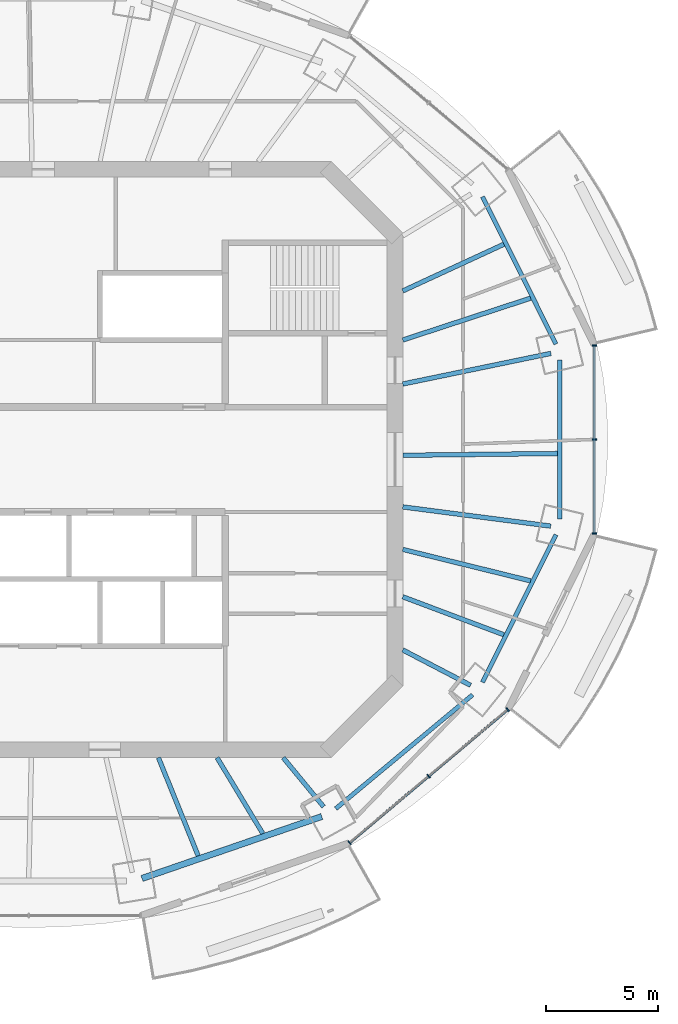
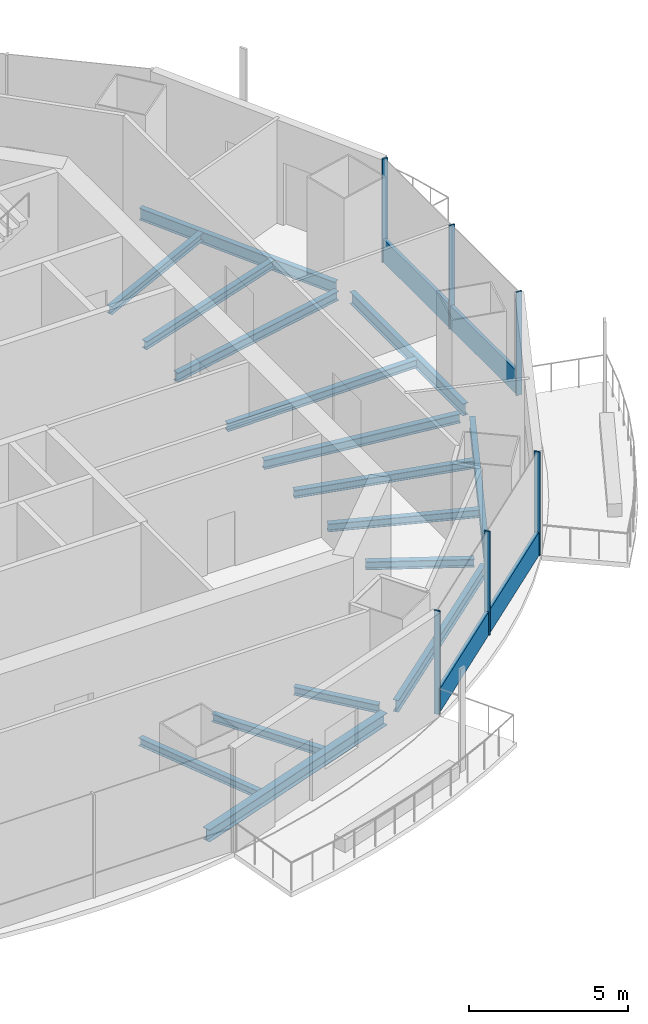
# One storey, part 4 of 16: 16 beams, 8 members, 2 elements without a shape of their own.
"""IFC4 building model written with IfcOpenShell, lengths in metres."""

from ifc_helpers import new_model, si_unit, direction, frame, origin, origin_2d, place, context, subcontext, project, spatial, rectangle, i_section, extrude, material, material_profile, profile_set, type_object, element, aggregate, save


model = new_model("IFC4")

# Units and contexts
model_context = context("Model", 3, precision=1e-05, world=origin(), true_north=direction((0.0, 1.0)))
body_context = subcontext(model_context, "Body", "Model", "MODEL_VIEW")
ifc_project = project(units=[si_unit("LENGTHUNIT", "METRE"), si_unit("AREAUNIT", "SQUARE_METRE"), si_unit("VOLUMEUNIT", "CUBIC_METRE"), si_unit("PLANEANGLEUNIT", "RADIAN"), si_unit("MASSUNIT", "GRAM", prefix="KILO")], contexts=[model_context])

# Site, building, storey
site_placement = place(None, origin())
site = spatial("IfcSite", under=ifc_project, at=site_placement, CompositionType="ELEMENT")
building_placement = place(site_placement, origin())
building = spatial("IfcBuilding", under=site, at=building_placement, Name="Marenthal Gate Tower", CompositionType="ELEMENT")
storey_placement = place(building_placement, frame((0.0, 0.0, 371.64990234375)))
storey = spatial("IfcBuildingStorey", under=building, at=storey_placement, Name="L84", CompositionType="ELEMENT", Elevation=371.64990234375)

# Curtain wall, members
ifc_material_1 = material(Name="Aluminium and glass", Category="aluminium")
curtain_wall_type = type_object("IfcCurtainWallType", Name="Curtain wall typical high", PredefinedType="NOTDEFINED", material=ifc_material_1)
curtain_wall_1_placement = place(storey_placement, origin())
curtain_wall_1 = element("IfcCurtainWall", 1, at=curtain_wall_1_placement, inside=storey, type_object=curtain_wall_type, Name="Curtain wall L84 bay 14", PredefinedType="NOTDEFINED")
ifc_material_2 = material(Name="Aluminium", Category="aluminium")
ifc_material_profile_1 = material_profile(ifc_material_2, rectangle(XDim=0.199951171875, YDim=0.06005859375, at=origin_2d()), Name="60x200 aluminium mullion")
ifc_profile_set_1 = profile_set([ifc_material_profile_1], Name="Aluminium")
member_type_1 = type_object("IfcMemberType", Name="Mullion 60x200 typical high", PredefinedType="MULLION", material=ifc_profile_set_1)
member_1_placement = place(storey_placement, frame((13.96875, -17.160888671875, 0.0), z_axis=(0.0, 0.0, 1.0), x_axis=(-0.64413508453, 0.764911754961, 0.0)))
member_1 = element("IfcMember", 2, at=member_1_placement, type_object=member_type_1, Name="Mullion L84 bay 14.1", PredefinedType="MULLION", context=body_context, shape_type="SweptSolid", body=[
    extrude(rectangle(XDim=0.199951171875, YDim=0.06005859375, at=origin_2d()), origin(), (0.0, 0.0, 1.0), 3.97021484375),
])
member_2_placement = place(storey_placement, frame((17.508056640625, -14.1806640625, 0.0), z_axis=(0.0, 0.0, 1.0), x_axis=(-0.64413508453, 0.764911754961, 0.0)))
member_2 = element("IfcMember", 3, at=member_2_placement, type_object=member_type_1, Name="Mullion L84 bay 14.2", PredefinedType="MULLION", context=body_context, shape_type="SweptSolid", body=[
    extrude(rectangle(XDim=0.199951171875, YDim=0.06005859375, at=origin_2d()), origin(), (0.0, 0.0, 1.0), 3.97021484375),
])
member_3_placement = place(storey_placement, frame((21.04736328125, -11.2001953125, 0.0), z_axis=(0.0, 0.0, 1.0), x_axis=(-0.64413508453, 0.764911754961, 0.0)))
member_3 = element("IfcMember", 4, at=member_3_placement, type_object=member_type_1, Name="Mullion L84 bay 14.3", PredefinedType="MULLION", context=body_context, shape_type="SweptSolid", body=[
    extrude(rectangle(XDim=0.199951171875, YDim=0.06005859375, at=origin_2d()), origin(), (0.0, 0.0, 1.0), 3.97021484375),
])

curtain_wall_2_placement = place(storey_placement, origin())
curtain_wall_2 = element("IfcCurtainWall", 5, at=curtain_wall_2_placement, inside=storey, type_object=curtain_wall_type, Name="Curtain wall L84 bay 16", PredefinedType="NOTDEFINED")
member_4_placement = place(storey_placement, frame((24.92578125, -3.312255859375, 0.0), z_axis=(0.0, 0.0, 1.0), x_axis=(-1.0, 0.0, 0.0)))
member_4 = element("IfcMember", 6, at=member_4_placement, type_object=member_type_1, Name="Mullion L84 bay 16.1", PredefinedType="MULLION", context=body_context, shape_type="SweptSolid", body=[
    extrude(rectangle(XDim=0.199951171875, YDim=0.06005859375, at=origin_2d()), origin(), (0.0, 0.0, 1.0), 3.97021484375),
])
member_5_placement = place(storey_placement, frame((24.92578125, 0.89990234375, 0.0), z_axis=(0.0, 0.0, 1.0), x_axis=(-1.0, 0.0, 0.0)))
member_5 = element("IfcMember", 7, at=member_5_placement, type_object=member_type_1, Name="Mullion L84 bay 16.2", PredefinedType="MULLION", context=body_context, shape_type="SweptSolid", body=[
    extrude(rectangle(XDim=0.199951171875, YDim=0.06005859375, at=origin_2d()), origin(), (0.0, 0.0, 1.0), 3.97021484375),
])
member_6_placement = place(storey_placement, frame((24.92578125, 5.1123046875, 0.0), z_axis=(0.0, 0.0, 1.0), x_axis=(-1.0, 0.0, 0.0)))
member_6 = element("IfcMember", 8, at=member_6_placement, type_object=member_type_1, Name="Mullion L84 bay 16.3", PredefinedType="MULLION", context=body_context, shape_type="SweptSolid", body=[
    extrude(rectangle(XDim=0.199951171875, YDim=0.06005859375, at=origin_2d()), origin(), (0.0, 0.0, 1.0), 3.97021484375),
])

# Member
ifc_material_3 = material(Name="Aluminium", Category="aluminium")
ifc_material_profile_2 = material_profile(ifc_material_3, rectangle(XDim=0.1201171875, YDim=0.89990234375, at=origin_2d()), Name="120x900 aluminium transom")
ifc_profile_set_2 = profile_set([ifc_material_profile_2], Name="Aluminium")
member_type_2 = type_object("IfcMemberType", Name="Transom 120x900 typical high", PredefinedType="USERDEFINED", material=ifc_profile_set_2)
member_7_placement = place(storey_placement, frame((13.99169921875, -17.1416015625, 0.4501953125), z_axis=(0.764920149863, 0.644125115435, 0.0), x_axis=(-0.644125115435, 0.764920149863, 0.0)))
member_7 = element("IfcMember", 9, at=member_7_placement, type_object=member_type_2, Name="Transom L84 bay 14", ObjectType="TRANSOM", PredefinedType="USERDEFINED", context=body_context, shape_type="SweptSolid", body=[
    extrude(rectangle(XDim=0.1201171875, YDim=0.89990234375, at=origin_2d()), origin(), (0.0, 0.0, 1.0), 9.194091796875),
])

aggregate(curtain_wall_1, [member_1, member_2, member_3, member_7])

member_8_placement = place(storey_placement, frame((24.92578125, -3.2822265625, 0.4501953125), z_axis=(0.0, 1.0, 0.0), x_axis=(-1.0, 0.0, 0.0)))
member_8 = element("IfcMember", 10, at=member_8_placement, type_object=member_type_2, Name="Transom L84 bay 16", ObjectType="TRANSOM", PredefinedType="USERDEFINED", context=body_context, shape_type="SweptSolid", body=[
    extrude(rectangle(XDim=0.1201171875, YDim=0.89990234375, at=origin_2d()), origin(), (0.0, 0.0, 1.0), 8.364501953125),
])

aggregate(curtain_wall_2, [member_4, member_5, member_6, member_8])

# Beams
ifc_material_4 = material(Name="Steel S355", Category="steel")
ifc_material_profile_3 = material_profile(ifc_material_4, i_section(OverallWidth=0.202880859375, OverallDepth=0.302001953125, WebThickness=0.007568359375, FlangeThickness=0.01318359375, FilletRadius=0.0126953125, at=origin_2d()), Name="W310X60")
ifc_profile_set_3 = profile_set([ifc_material_profile_3], Name="Steel S355")
beam_type_1 = type_object("IfcBeamType", Name="W310X60 beam", PredefinedType="BEAM", material=ifc_profile_set_3)
beam_1_placement = place(storey_placement, frame((20.876220703125, 9.639892578125, -0.330810546875), z_axis=(-0.907874801324, -0.419241392423, 0.0), x_axis=(0.419241392423, -0.907874801324, 0.0)))
element("IfcBeam", 11, at=beam_1_placement, inside=storey, type_object=beam_type_1, Name="BM-L84-18", PredefinedType="BEAM", context=body_context, shape_type="SweptSolid", body=[
    extrude(i_section(OverallWidth=0.202880859375, OverallDepth=0.302001953125, WebThickness=0.007568359375, FlangeThickness=0.01318359375, FilletRadius=0.0126953125, at=origin_2d()), origin(), (0.0, 0.0, 1.0), 4.9853515625),
])
beam_2_placement = place(storey_placement, frame((7.18994140625, -17.744384765625, -0.330810546875), z_axis=(-0.375577216906, 0.92679110599, 0.0), x_axis=(-0.92679110599, -0.375577216906, 0.0)))
element("IfcBeam", 12, at=beam_2_placement, inside=storey, type_object=beam_type_1, Name="BM-L84-34", PredefinedType="BEAM", context=body_context, shape_type="SweptSolid", body=[
    extrude(i_section(OverallWidth=0.202880859375, OverallDepth=0.302001953125, WebThickness=0.007568359375, FlangeThickness=0.01318359375, FilletRadius=0.0126953125, at=origin_2d()), origin(), (0.0, 0.0, 1.0), 4.741455078125),
])
beam_3_placement = place(storey_placement, frame((10.08154296875, -16.748046875, -0.330810546875), z_axis=(-0.515726369496, 0.856753355293, 0.0), x_axis=(-0.856753355293, -0.515726369496, 0.0)))
element("IfcBeam", 13, at=beam_3_placement, inside=storey, type_object=beam_type_1, Name="BM-L84-35", PredefinedType="BEAM", context=body_context, shape_type="SweptSolid", body=[
    extrude(i_section(OverallWidth=0.202880859375, OverallDepth=0.302001953125, WebThickness=0.007568359375, FlangeThickness=0.01318359375, FilletRadius=0.0126953125, at=origin_2d()), origin(), (0.0, 0.0, 1.0), 3.966064453125),
])
beam_4_placement = place(storey_placement, frame((20.873291015625, -7.84619140625, -0.330810546875), z_axis=(-0.936056897924, 0.351848666117, 0.0), x_axis=(-0.351848666117, -0.936056897924, 0.0)))
element("IfcBeam", 14, at=beam_4_placement, inside=storey, type_object=beam_type_1, Name="BM-L84-36", PredefinedType="BEAM", context=body_context, shape_type="SweptSolid", body=[
    extrude(i_section(OverallWidth=0.202880859375, OverallDepth=0.302001953125, WebThickness=0.007568359375, FlangeThickness=0.01318359375, FilletRadius=0.0126953125, at=origin_2d()), origin(), (0.0, 0.0, 1.0), 4.832275390625),
])
beam_5_placement = place(storey_placement, frame((22.07470703125, -5.43359375, -0.330810546875), z_axis=(-0.971013104532, 0.239026255517, 0.0), x_axis=(-0.239026255517, -0.971013104532, 0.0)))
element("IfcBeam", 15, at=beam_5_placement, inside=storey, type_object=beam_type_1, Name="BM-L84-37", PredefinedType="BEAM", context=body_context, shape_type="SweptSolid", body=[
    extrude(i_section(OverallWidth=0.202880859375, OverallDepth=0.302001953125, WebThickness=0.007568359375, FlangeThickness=0.01318359375, FilletRadius=0.0126953125, at=origin_2d()), origin(), (0.0, 0.0, 1.0), 5.8955078125),
])
ifc_material_5 = material(Name="Steel S355", Category="steel")
ifc_material_profile_4 = material_profile(ifc_material_5, i_section(OverallWidth=0.205078125, OverallDepth=0.31005859375, WebThickness=0.009521484375, FlangeThickness=0.016357421875, FilletRadius=0.0126953125, at=origin_2d()), Name="W310X74")
ifc_profile_set_4 = profile_set([ifc_material_profile_4], Name="Steel S355")
beam_type_2 = type_object("IfcBeamType", Name="W310X74 beam", PredefinedType="BEAM", material=ifc_profile_set_4)
beam_6_placement = place(storey_placement, frame((12.80419921875, -15.546142578125, -0.3349609375), z_axis=(-0.635776430195, 0.771873260846, 0.0), x_axis=(-0.771873260846, -0.635776430195, 0.0)))
element("IfcBeam", 16, at=beam_6_placement, inside=storey, type_object=beam_type_2, Name="BM-L84-14", PredefinedType="BEAM", context=body_context, shape_type="SweptSolid", body=[
    extrude(i_section(OverallWidth=0.205078125, OverallDepth=0.31005859375, WebThickness=0.009521484375, FlangeThickness=0.016357421875, FilletRadius=0.0126953125, at=origin_2d()), origin(), (0.0, 0.0, 1.0), 2.844970703125),
])
beam_7_placement = place(storey_placement, frame((19.38623046875, -10.110107421875, -0.3349609375), z_axis=(-0.886653485234, 0.462434424673, 0.0), x_axis=(-0.462434424673, -0.886653485234, 0.0)))
element("IfcBeam", 17, at=beam_7_placement, inside=storey, type_object=beam_type_2, Name="BM-L84-15", PredefinedType="BEAM", context=body_context, shape_type="SweptSolid", body=[
    extrude(i_section(OverallWidth=0.205078125, OverallDepth=0.31005859375, WebThickness=0.009521484375, FlangeThickness=0.016357421875, FilletRadius=0.0126953125, at=origin_2d()), origin(), (0.0, 0.0, 1.0), 3.42431640625),
])
beam_8_placement = place(storey_placement, frame((22.077880859375, 7.22705078125, -0.3349609375), z_axis=(-0.9503749188, -0.311106916857, 0.0), x_axis=(0.311106916857, -0.9503749188, 0.0)))
element("IfcBeam", 18, at=beam_8_placement, inside=storey, type_object=beam_type_2, Name="BM-L84-17", PredefinedType="BEAM", context=body_context, shape_type="SweptSolid", body=[
    extrude(i_section(OverallWidth=0.205078125, OverallDepth=0.31005859375, WebThickness=0.009521484375, FlangeThickness=0.016357421875, FilletRadius=0.0126953125, at=origin_2d()), origin(), (0.0, 0.0, 1.0), 6.02685546875),
])
beam_9_placement = place(storey_placement, frame((23.28076171875, 0.26953125, -0.3349609375), z_axis=(-0.999932849622, -0.011588625741, 0.0), x_axis=(0.011588625741, -0.999932849622, 0.0)))
element("IfcBeam", 19, at=beam_9_placement, inside=storey, type_object=beam_type_2, Name="BM-L84-38", PredefinedType="BEAM", context=body_context, shape_type="SweptSolid", body=[
    extrude(i_section(OverallWidth=0.205078125, OverallDepth=0.31005859375, WebThickness=0.009521484375, FlangeThickness=0.016357421875, FilletRadius=0.0126953125, at=origin_2d()), origin(), (0.0, 0.0, 1.0), 6.93115234375),
])
ifc_material_6 = material(Name="Steel S355", Category="steel")
ifc_material_profile_5 = material_profile(ifc_material_6, i_section(OverallWidth=0.205078125, OverallDepth=0.35302734375, WebThickness=0.009521484375, FlangeThickness=0.016845703125, FilletRadius=0.014892578125, at=origin_2d()), Name="W360X79")
ifc_profile_set_5 = profile_set([ifc_material_profile_5], Name="Steel S355")
beam_type_3 = type_object("IfcBeamType", Name="W360X79 beam", PredefinedType="BEAM", material=ifc_profile_set_5)
beam_10_placement = place(storey_placement, frame((22.98388671875, 4.7529296875, -0.3564453125), z_axis=(-0.979280386775, -0.202509071592, 0.0), x_axis=(0.202509071592, -0.979280386775, 0.0)))
element("IfcBeam", 20, at=beam_10_placement, inside=storey, type_object=beam_type_3, Name="BM-L84-01", PredefinedType="BEAM", context=body_context, shape_type="SweptSolid", body=[
    extrude(i_section(OverallWidth=0.205078125, OverallDepth=0.35302734375, WebThickness=0.009521484375, FlangeThickness=0.016845703125, FilletRadius=0.014892578125, at=origin_2d()), origin(), (0.0, 0.0, 1.0), 6.774169921875),
])
beam_11_placement = place(storey_placement, frame((22.974609375, -2.98193359375, -0.3564453125), z_axis=(-0.991680921641, 0.128720432152, 0.0), x_axis=(-0.128720432152, -0.991680921641, 0.0)))
element("IfcBeam", 21, at=beam_11_placement, inside=storey, type_object=beam_type_3, Name="BM-L84-16", PredefinedType="BEAM", context=body_context, shape_type="SweptSolid", body=[
    extrude(i_section(OverallWidth=0.205078125, OverallDepth=0.35302734375, WebThickness=0.009521484375, FlangeThickness=0.016845703125, FilletRadius=0.014892578125, at=origin_2d()), origin(), (0.0, 0.0, 1.0), 6.68017578125),
])
ifc_material_7 = material(Name="Steel S355", Category="steel")
ifc_material_profile_6 = material_profile(ifc_material_7, i_section(OverallWidth=0.279052734375, OverallDepth=0.4619140625, WebThickness=0.0107421875, FlangeThickness=0.017333984375, FilletRadius=0.010009765625, at=origin_2d()), Name="W460X113")
ifc_profile_set_6 = profile_set([ifc_material_profile_6], Name="Steel S355")
beam_type_4 = type_object("IfcBeamType", Name="W460X113 beam", PredefinedType="BEAM", material=ifc_profile_set_6)
beam_12_placement = place(storey_placement, frame((4.671875, -18.759521484375, -0.410888671875), z_axis=(0.945450630653, 0.32576541406, 0.0), x_axis=(-0.32576541406, 0.945450630653, 0.0)))
element("IfcBeam", 22, at=beam_12_placement, inside=storey, type_object=beam_type_4, Name="BM-L84-51", PredefinedType="BEAM", context=body_context, shape_type="SweptSolid", body=[
    extrude(i_section(OverallWidth=0.279052734375, OverallDepth=0.4619140625, WebThickness=0.0107421875, FlangeThickness=0.017333984375, FilletRadius=0.010009765625, at=origin_2d()), origin(), (0.0, 0.0, 1.0), 8.517333984375),
])
ifc_material_8 = material(Name="Steel S355", Category="steel")
ifc_material_profile_7 = material_profile(ifc_material_8, i_section(OverallWidth=0.19091796875, OverallDepth=0.45703125, WebThickness=0.009033203125, FlangeThickness=0.014404296875, FilletRadius=0.01025390625, at=origin_2d()), Name="W460X74")
ifc_profile_set_7 = profile_set([ifc_material_profile_7], Name="Steel S355")
beam_type_5 = type_object("IfcBeamType", Name="W460X74 beam", PredefinedType="BEAM", material=ifc_profile_set_7)
beam_13_placement = place(storey_placement, frame((23.210205078125, 5.16748046875, -0.408447265625), z_axis=(-0.445757037606, 0.895153988666, 0.0), x_axis=(-0.895153988666, -0.445757037606, 0.0)))
element("IfcBeam", 23, at=beam_13_placement, inside=storey, type_object=beam_type_5, Name="BM-L84-39", PredefinedType="BEAM", context=body_context, shape_type="SweptSolid", body=[
    extrude(i_section(OverallWidth=0.19091796875, OverallDepth=0.45703125, WebThickness=0.009033203125, FlangeThickness=0.014404296875, FilletRadius=0.01025390625, at=origin_2d()), origin(), (0.0, 0.0, 1.0), 7.3779296875),
])
beam_14_placement = place(storey_placement, frame((13.3486328125, -15.63330078125, -0.408447265625), z_axis=(0.76879863702, 0.639490934819, 0.0), x_axis=(-0.639490934819, 0.76879863702, 0.0)))
element("IfcBeam", 24, at=beam_14_placement, inside=storey, type_object=beam_type_5, Name="BM-L84-52", PredefinedType="BEAM", context=body_context, shape_type="SweptSolid", body=[
    extrude(i_section(OverallWidth=0.19091796875, OverallDepth=0.45703125, WebThickness=0.009033203125, FlangeThickness=0.014404296875, FilletRadius=0.01025390625, at=origin_2d()), origin(), (0.0, 0.0, 1.0), 7.967529296875),
])
beam_15_placement = place(storey_placement, frame((19.92138671875, -9.971923828125, -0.408447265625), z_axis=(0.445757037606, 0.895153988666, 0.0), x_axis=(-0.895153988666, 0.445757037606, 0.0)))
element("IfcBeam", 25, at=beam_15_placement, inside=storey, type_object=beam_type_5, Name="BM-L84-53", PredefinedType="BEAM", context=body_context, shape_type="SweptSolid", body=[
    extrude(i_section(OverallWidth=0.19091796875, OverallDepth=0.45703125, WebThickness=0.009033203125, FlangeThickness=0.014404296875, FilletRadius=0.01025390625, at=origin_2d()), origin(), (0.0, 0.0, 1.0), 7.3779296875),
])
beam_16_placement = place(storey_placement, frame((23.376220703125, -2.659912109375, -0.408447265625), z_axis=(0.0, 1.0, 0.0), x_axis=(-1.0, 0.0, 0.0)))
element("IfcBeam", 26, at=beam_16_placement, inside=storey, type_object=beam_type_5, Name="BM-L84-54", PredefinedType="BEAM", context=body_context, shape_type="SweptSolid", body=[
    extrude(i_section(OverallWidth=0.19091796875, OverallDepth=0.45703125, WebThickness=0.009033203125, FlangeThickness=0.014404296875, FilletRadius=0.01025390625, at=origin_2d()), origin(), (0.0, 0.0, 1.0), 7.119873046875),
])

save(model, "model.ifc")
